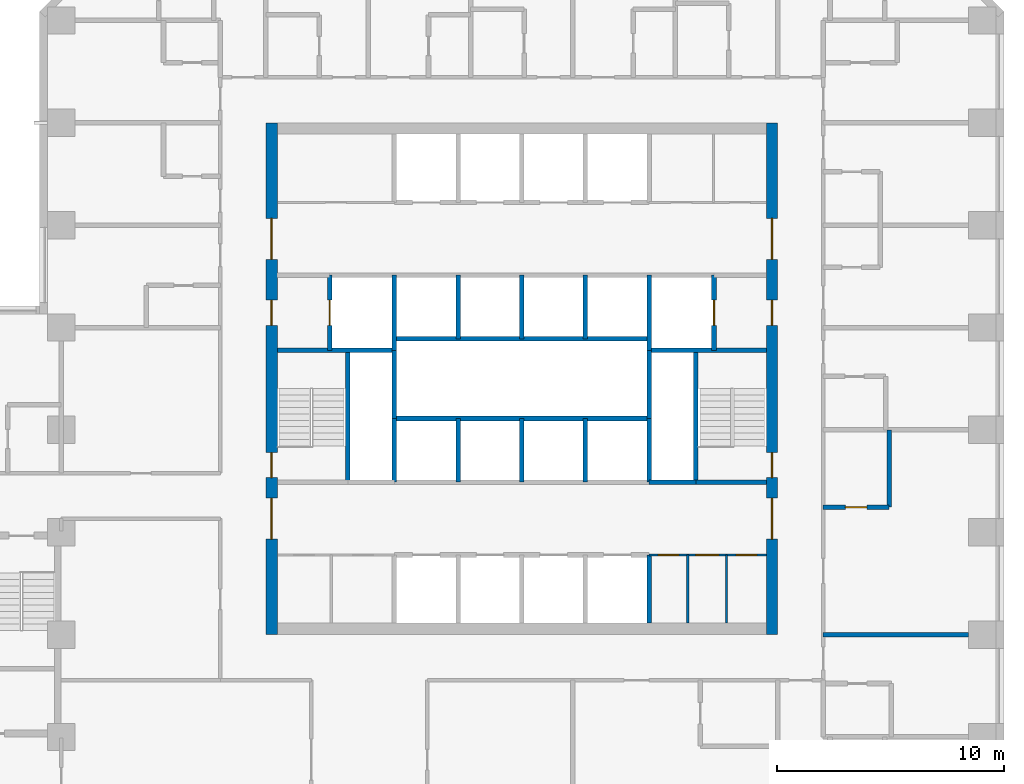
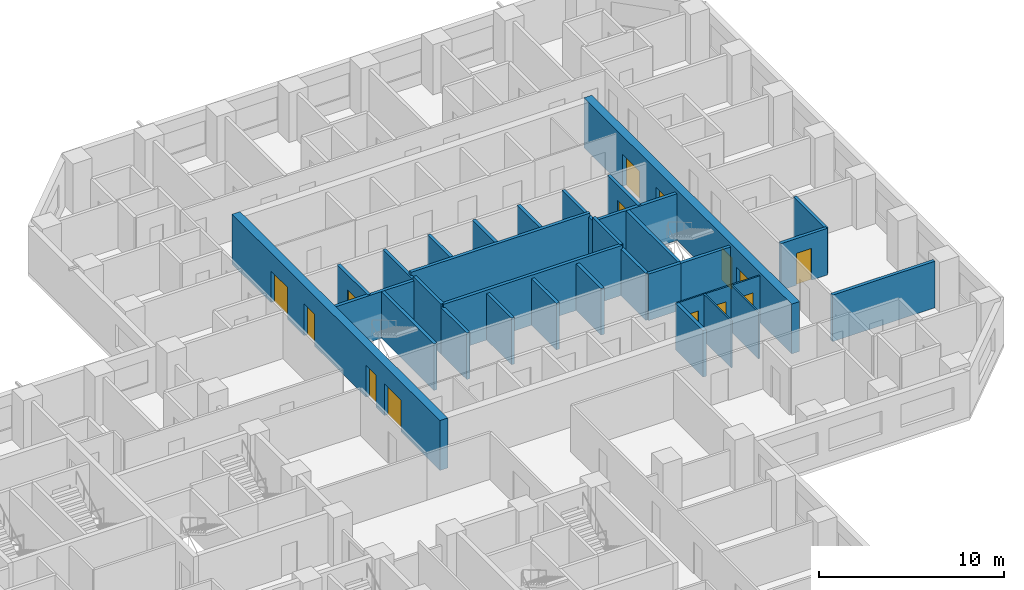
# One storey, part 8 of 13: 31 walls, 14 doors, 14 openings.
"""IFC4 building model written with IfcOpenShell, lengths in metres."""

from ifc_helpers import new_model, si_unit, direction, frame, frame_2d, origin, place, context, subcontext, project, spatial, rectangle, extrude, material, layer, layer_set, type_object, element, fill, save


model = new_model("IFC4")

# Units and contexts
model_context = context("Model", 3, precision=1e-05, world=origin(), true_north=direction((0.0, 1.0)))
body_context = subcontext(model_context, "Body", "Model", "MODEL_VIEW")
ifc_project = project(units=[si_unit("LENGTHUNIT", "METRE"), si_unit("AREAUNIT", "SQUARE_METRE"), si_unit("VOLUMEUNIT", "CUBIC_METRE"), si_unit("PLANEANGLEUNIT", "RADIAN"), si_unit("MASSUNIT", "GRAM", prefix="KILO")], contexts=[model_context])

# Site, building, storey
site_placement = place(None, origin())
site = spatial("IfcSite", under=ifc_project, at=site_placement, CompositionType="ELEMENT")
building_placement = place(site_placement, origin())
building = spatial("IfcBuilding", under=site, at=building_placement, Name="Quoin Convention Tower", CompositionType="ELEMENT")
storey_placement = place(building_placement, frame((0.0, 0.0, 23.10009765625)))
storey = spatial("IfcBuildingStorey", under=building, at=storey_placement, Name="L04", CompositionType="ELEMENT", Elevation=23.10009765625)

# Wall, openings, doors
ifc_material_1 = material(Name="Plasterboard")
ifc_layer_1 = layer(ifc_material_1, 0.012451171875, Name="Finish")
ifc_material_2 = material(Name="Steel stud framing", Category="steel")
ifc_layer_2 = layer(ifc_material_2, 0.074951171875, Name="Structure")
ifc_layer_3 = layer(ifc_material_1, 0.012451171875, Name="Finish")
ifc_layer_set_1 = layer_set([ifc_layer_1, ifc_layer_2, ifc_layer_3], Name="Steel stud framing")
wall_type_1 = type_object("IfcWallType", Name="Core partition wall", PredefinedType="PARTITIONING", material=ifc_layer_set_1)
wall_1_placement = place(storey_placement, frame((61.85009765625, 53.0, 0.0), z_axis=(0.0, 0.0, 1.0), x_axis=(1.0, 0.0, 0.0)))
wall_1 = element("IfcWall", 1, at=wall_1_placement, inside=storey, type_object=wall_type_1, Name="cr-C1-L04-h3500_16850", PredefinedType="PARTITIONING", context=body_context, shape_type="SweptSolid", body=[
    extrude(rectangle(XDim=5.14990234375, YDim=0.10009765625, at=frame_2d((2.574951171875, 0.0))), origin(), (0.0, 0.0, 1.0), 3.079833984375),
])
opening_1_placement = place(wall_1_placement, frame((3.824462890625, 0.0, 0.0)))
opening_1 = element("IfcOpeningElement", 2, at=opening_1_placement, cuts=wall_1, Name="Opening DCV2-20", PredefinedType="OPENING", context=body_context, shape_type="SweptSolid", body=[
    extrude(rectangle(XDim=0.89990234375, YDim=2.10009765625, at=frame_2d((0.449951171875, 1.050048828125))), frame((0.0, 0.06005859375, 0.0), z_axis=(0.0, -1.0, 0.0), x_axis=(1.0, 0.0, 0.0)), (0.0, 0.0, 1.0), 0.1201171875),
])
opening_2_placement = place(wall_1_placement, frame((2.04931640625, 0.0, 0.0)))
opening_2 = element("IfcOpeningElement", 3, at=opening_2_placement, cuts=wall_1, Name="Opening DCV2-18", PredefinedType="OPENING", context=body_context, shape_type="SweptSolid", body=[
    extrude(rectangle(XDim=1.0, YDim=2.10009765625, at=frame_2d((0.5, 1.050048828125))), frame((0.0, 0.06005859375, 0.0), z_axis=(0.0, -1.0, 0.0), x_axis=(1.0, 0.0, 0.0)), (0.0, 0.0, 1.0), 0.1201171875),
])
opening_3_placement = place(wall_1_placement, frame((0.39990234375, 0.0, 0.0)))
opening_3 = element("IfcOpeningElement", 4, at=opening_3_placement, cuts=wall_1, Name="Opening DCV2-16", PredefinedType="OPENING", context=body_context, shape_type="SweptSolid", body=[
    extrude(rectangle(XDim=0.89990234375, YDim=2.10009765625, at=frame_2d((0.449951171875, 1.050048828125))), frame((0.0, 0.06005859375, 0.0), z_axis=(0.0, -1.0, 0.0), x_axis=(1.0, 0.0, 0.0)), (0.0, 0.0, 1.0), 0.1201171875),
])
ifc_material_3 = material(Name="Steel door leaf", Category="steel")
door_type_1 = type_object("IfcDoorType", Name="Core room door 1000 x 2100", OperationType="SINGLE_SWING_LEFT", PredefinedType="DOOR", material=ifc_material_3)
door_1_placement = place(opening_2_placement, frame((1.0, 0.0, 0.0), z_axis=(0.0, 0.0, 1.0), x_axis=(-1.0, 0.0, 0.0)))
door_1 = element("IfcDoor", 5, at=door_1_placement, inside=storey, type_object=door_type_1, Name="cd-C1-L04-CSE1-lobA-CD0411", OperationType="SINGLE_SWING_LEFT", OverallHeight=2.10009765625, OverallWidth=1.0, PredefinedType="DOOR", context=body_context, shape_type="SweptSolid", body=[
    extrude(rectangle(XDim=1.0, YDim=2.10009765625, at=frame_2d((0.5, 1.050048828125))), frame((0.0, 0.02490234375, 0.0), z_axis=(0.0, -1.0, 0.0), x_axis=(1.0, 0.0, 0.0)), (0.0, 0.0, 1.0), 0.050048828125),
])
fill(opening_2, door_1)
door_type_2 = type_object("IfcDoorType", Name="Core room door 900 x 2100", OperationType="SINGLE_SWING_LEFT", PredefinedType="DOOR", material=ifc_material_3)
door_2_placement = place(opening_1_placement, frame((0.89990234375, 0.0, 0.0), z_axis=(0.0, 0.0, 1.0), x_axis=(-1.0, 0.0, 0.0)))
door_2 = element("IfcDoor", 6, at=door_2_placement, inside=storey, type_object=door_type_2, Name="cd-C1-L04-CSE0-lobA-CD0410", OperationType="SINGLE_SWING_LEFT", OverallHeight=2.10009765625, OverallWidth=0.89990234375, PredefinedType="DOOR", context=body_context, shape_type="SweptSolid", body=[
    extrude(rectangle(XDim=0.89990234375, YDim=2.10009765625, at=frame_2d((0.449951171875, 1.050048828125))), frame((0.0, 0.02490234375, 0.0), z_axis=(0.0, -1.0, 0.0), x_axis=(1.0, 0.0, 0.0)), (0.0, 0.0, 1.0), 0.050048828125),
])
fill(opening_1, door_2)
door_3_placement = place(opening_3_placement, frame((0.89990234375, 0.0, 0.0), z_axis=(0.0, 0.0, 1.0), x_axis=(-1.0, 0.0, 0.0)))
door_3 = element("IfcDoor", 7, at=door_3_placement, inside=storey, type_object=door_type_2, Name="cd-C1-L04-CSE2-lobA-CD0412", OperationType="SINGLE_SWING_LEFT", OverallHeight=2.10009765625, OverallWidth=0.89990234375, PredefinedType="DOOR", context=body_context, shape_type="SweptSolid", body=[
    extrude(rectangle(XDim=0.89990234375, YDim=2.10009765625, at=frame_2d((0.449951171875, 1.050048828125))), frame((0.0, 0.02490234375, 0.0), z_axis=(0.0, -1.0, 0.0), x_axis=(1.0, 0.0, 0.0)), (0.0, 0.0, 1.0), 0.050048828125),
])
fill(opening_3, door_3)

# Walls
for number, where, z_axis, x_axis, name in (
    (8, (63.549560546875, 50.0, 0.0), (0.0, 0.0, 1.0), (0.0, 1.0, 0.0), "cr-C1-L04-v18550_500"),
    (9, (65.2490234375, 50.0, 0.0), (0.0, 0.0, 1.0), (0.0, 1.0, 0.0), "cr-C1-L04-v20249_500"),
):
    element("IfcWall", number, at=place(storey_placement, frame(where, z_axis=z_axis, x_axis=x_axis)), inside=storey, type_object=wall_type_1, Name=name, PredefinedType="PARTITIONING", context=body_context, shape_type="SweptSolid", body=[
        extrude(rectangle(XDim=3.0, YDim=0.10009765625, at=frame_2d((1.5, 0.0))), origin(), (0.0, 0.0, 1.0), 3.079833984375),
    ])
ifc_material_4 = material(Name="Concrete C50", Category="concrete")
ifc_layer_4 = layer(ifc_material_4, 0.199951171875)
ifc_layer_set_2 = layer_set([ifc_layer_4], Name="Concrete C50")
wall_type_2 = type_object("IfcWallType", Name="Core shaft wall", PredefinedType="SOLIDWALL", material=ifc_layer_set_2)
wall_2_placement = place(storey_placement, frame((61.85009765625, 56.199951171875, 0.0), z_axis=(0.0, 0.0, 1.0), x_axis=(1.0, 0.0, 0.0)))
element("IfcWall", 10, at=wall_2_placement, inside=storey, type_object=wall_type_2, Name="cr-C1-L04-h6700_16850", PredefinedType="SOLIDWALL", context=body_context, shape_type="SweptSolid", body=[
    extrude(rectangle(XDim=2.0498046875, YDim=0.199951171875, at=frame_2d((1.02490234375, 0.0))), origin(), (0.0, 0.0, 1.0), 3.079833984375),
])
wall_3_placement = place(storey_placement, frame((63.89990234375, 56.199951171875, 0.0), z_axis=(0.0, 0.0, 1.0), x_axis=(1.0, 0.0, 0.0)))
element("IfcWall", 11, at=wall_3_placement, inside=storey, type_object=wall_type_2, Name="cr-C1-L04-h6700_18900", PredefinedType="SOLIDWALL", context=body_context, shape_type="SweptSolid", body=[
    extrude(rectangle(XDim=3.10009765625, YDim=0.199951171875, at=frame_2d((1.550048828125, 0.0))), origin(), (0.0, 0.0, 1.0), 3.079833984375),
])
for number, where, z_axis, x_axis, name in (
    (12, (45.5, 62.0, 0.0), (0.0, 0.0, 1.0), (1.0, 0.0, 0.0), "cr-C1-L04-h12500_500"),
    (13, (61.85009765625, 62.0, 0.0), (0.0, 0.0, 1.0), (1.0, 0.0, 0.0), "cr-C1-L04-h12500_16850"),
):
    element("IfcWall", number, at=place(storey_placement, frame(where, z_axis=z_axis, x_axis=x_axis)), inside=storey, type_object=wall_type_2, Name=name, PredefinedType="SOLIDWALL", context=body_context, shape_type="SweptSolid", body=[
        extrude(rectangle(XDim=5.14990234375, YDim=0.199951171875, at=frame_2d((2.574951171875, 0.0))), origin(), (0.0, 0.0, 1.0), 3.079833984375),
    ])

# Wall, opening, door
wall_4_placement = place(storey_placement, frame((47.800048828125, 62.0, 0.0), z_axis=(0.0, 0.0, 1.0), x_axis=(0.0, 1.0, 0.0)))
wall_4 = element("IfcWall", 14, at=wall_4_placement, inside=storey, type_object=wall_type_2, Name="cr-C1-L04-v2800_12500", PredefinedType="SOLIDWALL", context=body_context, shape_type="SweptSolid", body=[
    extrude(rectangle(XDim=3.300048828125, YDim=0.199951171875, at=frame_2d((1.64990234375, 0.0))), origin(), (0.0, 0.0, 1.0), 3.079833984375),
])
opening_4_placement = place(wall_4_placement, frame((1.10009765625, 0.0, 0.0)))
opening_4 = element("IfcOpeningElement", 15, at=opening_4_placement, cuts=wall_4, Name="Opening LDFL1", PredefinedType="OPENING", context=body_context, shape_type="SweptSolid", body=[
    extrude(rectangle(XDim=1.10009765625, YDim=2.10009765625, at=frame_2d((0.550048828125, 1.050048828125))), frame((0.0, 0.10986328125, 0.0), z_axis=(0.0, -1.0, 0.0), x_axis=(1.0, 0.0, 0.0)), (0.0, 0.0, 1.0), 0.219970703125),
])
door_type_3 = type_object("IfcDoorType", Name="Lift landing door 1100 x 2100", OperationType="DOUBLE_DOOR_SLIDING", PredefinedType="DOOR", material=ifc_material_3)
door_4_placement = place(opening_4_placement, origin())
door_4 = element("IfcDoor", 16, at=door_4_placement, inside=storey, type_object=door_type_3, Name="cd-C1-L04-FLW-FFW-LDFL1", OperationType="DOUBLE_DOOR_SLIDING", OverallHeight=2.10009765625, OverallWidth=1.10009765625, PredefinedType="DOOR", context=body_context, shape_type="SweptSolid", body=[
    extrude(rectangle(XDim=1.10009765625, YDim=2.10009765625, at=frame_2d((0.550048828125, 1.050048828125))), frame((0.0, 0.02490234375, 0.0), z_axis=(0.0, -1.0, 0.0), x_axis=(1.0, 0.0, 0.0)), (0.0, 0.0, 1.0), 0.050048828125),
])
fill(opening_4, door_4)

# Walls
wall_5_placement = place(storey_placement, frame((48.60009765625, 56.199951171875, 0.0), z_axis=(0.0, 0.0, 1.0), x_axis=(0.0, 1.0, 0.0)))
element("IfcWall", 17, at=wall_5_placement, inside=storey, type_object=wall_type_2, Name="cr-C1-L04-v3600_6700", PredefinedType="SOLIDWALL", context=body_context, shape_type="SweptSolid", body=[
    extrude(rectangle(XDim=5.800048828125, YDim=0.199951171875, at=frame_2d((2.89990234375, 0.0))), origin(), (0.0, 0.0, 1.0), 3.079833984375),
])
wall_6_placement = place(storey_placement, frame((50.64990234375, 56.199951171875, 0.0), z_axis=(0.0, 0.0, 1.0), x_axis=(0.0, 1.0, 0.0)))
element("IfcWall", 18, at=wall_6_placement, inside=storey, type_object=wall_type_2, Name="cr-C1-L04-v5650_6700", PredefinedType="SOLIDWALL", context=body_context, shape_type="SweptSolid", body=[
    extrude(rectangle(XDim=2.800048828125, YDim=0.199951171875, at=frame_2d((1.39990234375, 0.0))), origin(), (0.0, 0.0, 1.0), 3.079833984375),
])
wall_7_placement = place(storey_placement, frame((50.64990234375, 62.0, 0.0), z_axis=(0.0, 0.0, 1.0), x_axis=(0.0, 1.0, 0.0)))
element("IfcWall", 19, at=wall_7_placement, inside=storey, type_object=wall_type_2, Name="cr-C1-L04-v5650_12500", PredefinedType="SOLIDWALL", context=body_context, shape_type="SweptSolid", body=[
    extrude(rectangle(XDim=3.300048828125, YDim=0.199951171875, at=frame_2d((1.64990234375, 0.0))), origin(), (0.0, 0.0, 1.0), 3.079833984375),
])
for number, where, z_axis, x_axis, name in (
    (20, (53.449951171875, 56.199951171875, 0.0), (0.0, 0.0, 1.0), (0.0, 1.0, 0.0), "cr-C1-L04-v8450_6700"),
    (21, (53.449951171875, 62.5, 0.0), (0.0, 0.0, 1.0), (0.0, 1.0, 0.0), "cr-C1-L04-v8450_13000"),
    (22, (56.25, 56.199951171875, 0.0), (0.0, 0.0, 1.0), (0.0, 1.0, 0.0), "cr-C1-L04-v11250_6700"),
    (23, (56.25, 62.5, 0.0), (0.0, 0.0, 1.0), (0.0, 1.0, 0.0), "cr-C1-L04-v11250_13000"),
    (24, (59.050048828125, 56.199951171875, 0.0), (0.0, 0.0, 1.0), (0.0, 1.0, 0.0), "cr-C1-L04-v14050_6700"),
    (25, (59.050048828125, 62.5, 0.0), (0.0, 0.0, 1.0), (0.0, 1.0, 0.0), "cr-C1-L04-v14050_13000"),
):
    element("IfcWall", number, at=place(storey_placement, frame(where, z_axis=z_axis, x_axis=x_axis)), inside=storey, type_object=wall_type_2, Name=name, PredefinedType="SOLIDWALL", context=body_context, shape_type="SweptSolid", body=[
        extrude(rectangle(XDim=2.800048828125, YDim=0.199951171875, at=frame_2d((1.39990234375, 0.0))), origin(), (0.0, 0.0, 1.0), 3.079833984375),
    ])
wall_8_placement = place(storey_placement, frame((61.85009765625, 50.0, 0.0), z_axis=(0.0, 0.0, 1.0), x_axis=(0.0, 1.0, 0.0)))
element("IfcWall", 26, at=wall_8_placement, inside=storey, type_object=wall_type_2, Name="cr-C1-L04-v16850_500", PredefinedType="SOLIDWALL", context=body_context, shape_type="SweptSolid", body=[
    extrude(rectangle(XDim=3.0, YDim=0.199951171875, at=frame_2d((1.5, 0.0))), origin(), (0.0, 0.0, 1.0), 3.079833984375),
])
wall_9_placement = place(storey_placement, frame((61.85009765625, 56.199951171875, 0.0), z_axis=(0.0, 0.0, 1.0), x_axis=(0.0, 1.0, 0.0)))
element("IfcWall", 27, at=wall_9_placement, inside=storey, type_object=wall_type_2, Name="cr-C1-L04-v16850_6700", PredefinedType="SOLIDWALL", context=body_context, shape_type="SweptSolid", body=[
    extrude(rectangle(XDim=2.800048828125, YDim=0.199951171875, at=frame_2d((1.39990234375, 0.0))), origin(), (0.0, 0.0, 1.0), 3.079833984375),
])
wall_10_placement = place(storey_placement, frame((61.85009765625, 62.0, 0.0), z_axis=(0.0, 0.0, 1.0), x_axis=(0.0, 1.0, 0.0)))
element("IfcWall", 28, at=wall_10_placement, inside=storey, type_object=wall_type_2, Name="cr-C1-L04-v16850_12500", PredefinedType="SOLIDWALL", context=body_context, shape_type="SweptSolid", body=[
    extrude(rectangle(XDim=3.300048828125, YDim=0.199951171875, at=frame_2d((1.64990234375, 0.0))), origin(), (0.0, 0.0, 1.0), 3.079833984375),
])
wall_11_placement = place(storey_placement, frame((63.89990234375, 56.199951171875, 0.0), z_axis=(0.0, 0.0, 1.0), x_axis=(0.0, 1.0, 0.0)))
element("IfcWall", 29, at=wall_11_placement, inside=storey, type_object=wall_type_2, Name="cr-C1-L04-v18900_6700", PredefinedType="SOLIDWALL", context=body_context, shape_type="SweptSolid", body=[
    extrude(rectangle(XDim=5.800048828125, YDim=0.199951171875, at=frame_2d((2.89990234375, 0.0))), origin(), (0.0, 0.0, 1.0), 3.079833984375),
])

# Wall, opening, door
wall_12_placement = place(storey_placement, frame((64.699951171875, 62.0, 0.0), z_axis=(0.0, 0.0, 1.0), x_axis=(0.0, 1.0, 0.0)))
wall_12 = element("IfcWall", 30, at=wall_12_placement, inside=storey, type_object=wall_type_2, Name="cr-C1-L04-v19700_12500", PredefinedType="SOLIDWALL", context=body_context, shape_type="SweptSolid", body=[
    extrude(rectangle(XDim=3.300048828125, YDim=0.199951171875, at=frame_2d((1.64990234375, 0.0))), origin(), (0.0, 0.0, 1.0), 3.079833984375),
])
opening_5_placement = place(wall_12_placement, frame((1.10009765625, 0.0, 0.0)))
opening_5 = element("IfcOpeningElement", 31, at=opening_5_placement, cuts=wall_12, Name="Opening LDFL2", PredefinedType="OPENING", context=body_context, shape_type="SweptSolid", body=[
    extrude(rectangle(XDim=1.10009765625, YDim=2.10009765625, at=frame_2d((0.550048828125, 1.050048828125))), frame((0.0, 0.10986328125, 0.0), z_axis=(0.0, -1.0, 0.0), x_axis=(1.0, 0.0, 0.0)), (0.0, 0.0, 1.0), 0.219970703125),
])
door_5_placement = place(opening_5_placement, origin())
door_5 = element("IfcDoor", 32, at=door_5_placement, inside=storey, type_object=door_type_3, Name="cd-C1-L04-FLE-FFE-LDFL2", OperationType="DOUBLE_DOOR_SLIDING", OverallHeight=2.10009765625, OverallWidth=1.10009765625, PredefinedType="DOOR", context=body_context, shape_type="SweptSolid", body=[
    extrude(rectangle(XDim=1.10009765625, YDim=2.10009765625, at=frame_2d((0.550048828125, 1.050048828125))), frame((0.0, 0.02490234375, 0.0), z_axis=(0.0, -1.0, 0.0), x_axis=(1.0, 0.0, 0.0)), (0.0, 0.0, 1.0), 0.050048828125),
])
fill(opening_5, door_5)

# Walls
ifc_layer_5 = layer(ifc_material_4, 0.199951171875)
ifc_layer_set_3 = layer_set([ifc_layer_5], Name="Concrete C50")
wall_type_3 = type_object("IfcWallType", Name="Core shaft wall to the floor level over", PredefinedType="SOLIDWALL", material=ifc_layer_set_3)
for number, where, z_axis, x_axis, name in (
    (33, (50.64990234375, 59.0, 0.0), (0.0, 0.0, 1.0), (1.0, 0.0, 0.0), "cr-C1-L04-h9500_5650"),
    (34, (50.64990234375, 62.5, 0.0), (0.0, 0.0, 1.0), (1.0, 0.0, 0.0), "cr-C1-L04-h13000_5650"),
):
    element("IfcWall", number, at=place(storey_placement, frame(where, z_axis=z_axis, x_axis=x_axis)), inside=storey, type_object=wall_type_3, Name=name, PredefinedType="SOLIDWALL", context=body_context, shape_type="SweptSolid", body=[
        extrude(rectangle(XDim=11.2001953125, YDim=0.199951171875, at=frame_2d((5.60009765625, 0.0))), origin(), (0.0, 0.0, 1.0), 3.2998046875),
    ])
for number, where, z_axis, x_axis, name in (
    (35, (50.64990234375, 59.0, 0.0), (0.0, 0.0, 1.0), (0.0, 1.0, 0.0), "cr-C1-L04-v5650_9500"),
    (36, (61.85009765625, 59.0, 0.0), (0.0, 0.0, 1.0), (0.0, 1.0, 0.0), "cr-C1-L04-v16850_9500"),
):
    element("IfcWall", number, at=place(storey_placement, frame(where, z_axis=z_axis, x_axis=x_axis)), inside=storey, type_object=wall_type_3, Name=name, PredefinedType="SOLIDWALL", context=body_context, shape_type="SweptSolid", body=[
        extrude(rectangle(XDim=3.0, YDim=0.199951171875, at=frame_2d((1.5, 0.0))), origin(), (0.0, 0.0, 1.0), 3.2998046875),
    ])

# Wall, openings, doors
ifc_material_5 = material(Name="Concrete C80", Category="concrete")
ifc_layer_6 = layer(ifc_material_5, 0.5)
ifc_layer_set_4 = layer_set([ifc_layer_6], Name="Concrete C80")
wall_type_4 = type_object("IfcWallType", Name="RC CORE WALL 500 C80", PredefinedType="SHEAR", material=ifc_layer_set_4)
wall_13_placement = place(storey_placement, frame((45.25, 49.5, 0.0), z_axis=(0.0, 0.0, 1.0), x_axis=(0.0, 1.0, 0.0)))
wall_13 = element("IfcWall", 37, at=wall_13_placement, inside=storey, type_object=wall_type_4, Name="cwl-C1-L04-W", PredefinedType="SHEAR", context=body_context, shape_type="SweptSolid", body=[
    extrude(rectangle(XDim=22.5, YDim=0.5, at=frame_2d((11.25, 0.0))), origin(), (0.0, 0.0, 1.0), 3.2998046875),
])
opening_6_placement = place(wall_13_placement, frame((4.199951171875, 0.0, 0.0)))
opening_6 = element("IfcOpeningElement", 38, at=opening_6_placement, cuts=wall_13, Name="Opening DCV2-40", PredefinedType="OPENING", context=body_context, shape_type="SweptSolid", body=[
    extrude(rectangle(XDim=1.800048828125, YDim=2.10009765625, at=frame_2d((0.89990234375, 1.050048828125))), frame((0.0, 0.260009765625, 0.0), z_axis=(0.0, -1.0, 0.0), x_axis=(1.0, 0.0, 0.0)), (0.0, 0.0, 1.0), 0.52001953125),
])
opening_7_placement = place(wall_13_placement, frame((6.89990234375, 0.0, 0.0)))
opening_7 = element("IfcOpeningElement", 39, at=opening_7_placement, cuts=wall_13, Name="Opening SD1", PredefinedType="OPENING", context=body_context, shape_type="SweptSolid", body=[
    extrude(rectangle(XDim=1.10009765625, YDim=2.10009765625, at=frame_2d((0.550048828125, 1.050048828125))), frame((0.0, 0.260009765625, 0.0), z_axis=(0.0, -1.0, 0.0), x_axis=(1.0, 0.0, 0.0)), (0.0, 0.0, 1.0), 0.52001953125),
])
opening_8_placement = place(wall_13_placement, frame((13.60009765625, 0.0, 0.0)))
opening_8 = element("IfcOpeningElement", 40, at=opening_8_placement, cuts=wall_13, Name="Opening DCV2-39", PredefinedType="OPENING", context=body_context, shape_type="SweptSolid", body=[
    extrude(rectangle(XDim=1.10009765625, YDim=2.10009765625, at=frame_2d((0.550048828125, 1.050048828125))), frame((0.0, 0.260009765625, 0.0), z_axis=(0.0, -1.0, 0.0), x_axis=(1.0, 0.0, 0.0)), (0.0, 0.0, 1.0), 0.52001953125),
])
opening_9_placement = place(wall_13_placement, frame((16.5, 0.0, 0.0)))
opening_9 = element("IfcOpeningElement", 41, at=opening_9_placement, cuts=wall_13, Name="Opening DCV2-40", PredefinedType="OPENING", context=body_context, shape_type="SweptSolid", body=[
    extrude(rectangle(XDim=1.800048828125, YDim=2.10009765625, at=frame_2d((0.89990234375, 1.050048828125))), frame((0.0, 0.260009765625, 0.0), z_axis=(0.0, -1.0, 0.0), x_axis=(1.0, 0.0, 0.0)), (0.0, 0.0, 1.0), 0.52001953125),
])
door_type_4 = type_object("IfcDoorType", Name="Fire-fighting lobby door 1100 x 2100", OperationType="SINGLE_SWING_LEFT", PredefinedType="DOOR", material=ifc_material_3)
door_6_placement = place(opening_8_placement, frame((1.10009765625, 0.0, 0.0), z_axis=(0.0, 0.0, 1.0), x_axis=(-1.0, 0.0, 0.0)))
door_6 = element("IfcDoor", 42, at=door_6_placement, inside=storey, type_object=door_type_4, Name="cd-C1-L04-FFW-W", OperationType="SINGLE_SWING_LEFT", OverallHeight=2.10009765625, OverallWidth=1.10009765625, PredefinedType="DOOR", context=body_context, shape_type="SweptSolid", body=[
    extrude(rectangle(XDim=1.10009765625, YDim=2.10009765625, at=frame_2d((0.550048828125, 1.050048828125))), frame((0.0, 0.02490234375, 0.0), z_axis=(0.0, -1.0, 0.0), x_axis=(1.0, 0.0, 0.0)), (0.0, 0.0, 1.0), 0.050048828125),
])
fill(opening_8, door_6)
door_type_5 = type_object("IfcDoorType", Name="Lift lobby door 1800 x 2100", OperationType="SINGLE_SWING_LEFT", PredefinedType="DOOR", material=ifc_material_3)
door_7_placement = place(opening_6_placement, frame((1.800048828125, 0.0, 0.0), z_axis=(0.0, 0.0, 1.0), x_axis=(-1.0, 0.0, 0.0)))
door_7 = element("IfcDoor", 43, at=door_7_placement, inside=storey, type_object=door_type_5, Name="cd-C1-L04-lobA-W", OperationType="SINGLE_SWING_LEFT", OverallHeight=2.10009765625, OverallWidth=1.800048828125, PredefinedType="DOOR", context=body_context, shape_type="SweptSolid", body=[
    extrude(rectangle(XDim=1.800048828125, YDim=2.10009765625, at=frame_2d((0.89990234375, 1.050048828125))), frame((0.0, 0.02490234375, 0.0), z_axis=(0.0, -1.0, 0.0), x_axis=(1.0, 0.0, 0.0)), (0.0, 0.0, 1.0), 0.050048828125),
])
fill(opening_6, door_7)
door_8_placement = place(opening_9_placement, frame((1.800048828125, 0.0, 0.0), z_axis=(0.0, 0.0, 1.0), x_axis=(-1.0, 0.0, 0.0)))
door_8 = element("IfcDoor", 44, at=door_8_placement, inside=storey, type_object=door_type_5, Name="cd-C1-L04-lobB-W", OperationType="SINGLE_SWING_LEFT", OverallHeight=2.10009765625, OverallWidth=1.800048828125, PredefinedType="DOOR", context=body_context, shape_type="SweptSolid", body=[
    extrude(rectangle(XDim=1.800048828125, YDim=2.10009765625, at=frame_2d((0.89990234375, 1.050048828125))), frame((0.0, 0.02490234375, 0.0), z_axis=(0.0, -1.0, 0.0), x_axis=(1.0, 0.0, 0.0)), (0.0, 0.0, 1.0), 0.050048828125),
])
fill(opening_9, door_8)
door_type_6 = type_object("IfcDoorType", Name="Stair door 1100 x 2100", OperationType="SINGLE_SWING_RIGHT", PredefinedType="DOOR", material=ifc_material_3)
door_9_placement = place(opening_7_placement, frame((1.10009765625, 0.0, 0.0), z_axis=(0.0, 0.0, 1.0), x_axis=(-1.0, 0.0, 0.0)))
door_9 = element("IfcDoor", 45, at=door_9_placement, inside=storey, type_object=door_type_6, Name="cd-C1-L04-STW-W", OperationType="SINGLE_SWING_RIGHT", OverallHeight=2.10009765625, OverallWidth=1.10009765625, PredefinedType="DOOR", context=body_context, shape_type="SweptSolid", body=[
    extrude(rectangle(XDim=1.10009765625, YDim=2.10009765625, at=frame_2d((0.550048828125, 1.050048828125))), frame((0.0, 0.02490234375, 0.0), z_axis=(0.0, -1.0, 0.0), x_axis=(1.0, 0.0, 0.0)), (0.0, 0.0, 1.0), 0.050048828125),
])
fill(opening_7, door_9)

wall_14_placement = place(storey_placement, frame((67.25, 49.5, 0.0), z_axis=(0.0, 0.0, 1.0), x_axis=(0.0, 1.0, 0.0)))
wall_14 = element("IfcWall", 46, at=wall_14_placement, inside=storey, type_object=wall_type_4, Name="cwl-C1-L04-E", PredefinedType="SHEAR", context=body_context, shape_type="SweptSolid", body=[
    extrude(rectangle(XDim=22.5, YDim=0.5, at=frame_2d((11.25, 0.0))), origin(), (0.0, 0.0, 1.0), 3.2998046875),
])
opening_10_placement = place(wall_14_placement, frame((4.199951171875, 0.0, 0.0)))
opening_10 = element("IfcOpeningElement", 47, at=opening_10_placement, cuts=wall_14, Name="Opening DCV2-38", PredefinedType="OPENING", context=body_context, shape_type="SweptSolid", body=[
    extrude(rectangle(XDim=1.800048828125, YDim=2.10009765625, at=frame_2d((0.89990234375, 1.050048828125))), frame((0.0, 0.260009765625, 0.0), z_axis=(0.0, -1.0, 0.0), x_axis=(1.0, 0.0, 0.0)), (0.0, 0.0, 1.0), 0.52001953125),
])
opening_11_placement = place(wall_14_placement, frame((6.89990234375, 0.0, 0.0)))
opening_11 = element("IfcOpeningElement", 48, at=opening_11_placement, cuts=wall_14, Name="Opening SD2", PredefinedType="OPENING", context=body_context, shape_type="SweptSolid", body=[
    extrude(rectangle(XDim=1.10009765625, YDim=2.10009765625, at=frame_2d((0.550048828125, 1.050048828125))), frame((0.0, 0.260009765625, 0.0), z_axis=(0.0, -1.0, 0.0), x_axis=(1.0, 0.0, 0.0)), (0.0, 0.0, 1.0), 0.52001953125),
])
opening_12_placement = place(wall_14_placement, frame((13.60009765625, 0.0, 0.0)))
opening_12 = element("IfcOpeningElement", 49, at=opening_12_placement, cuts=wall_14, Name="Opening DCV2-37", PredefinedType="OPENING", context=body_context, shape_type="SweptSolid", body=[
    extrude(rectangle(XDim=1.10009765625, YDim=2.10009765625, at=frame_2d((0.550048828125, 1.050048828125))), frame((0.0, 0.260009765625, 0.0), z_axis=(0.0, -1.0, 0.0), x_axis=(1.0, 0.0, 0.0)), (0.0, 0.0, 1.0), 0.52001953125),
])
opening_13_placement = place(wall_14_placement, frame((16.5, 0.0, 0.0)))
opening_13 = element("IfcOpeningElement", 50, at=opening_13_placement, cuts=wall_14, Name="Opening DCV2-38", PredefinedType="OPENING", context=body_context, shape_type="SweptSolid", body=[
    extrude(rectangle(XDim=1.800048828125, YDim=2.10009765625, at=frame_2d((0.89990234375, 1.050048828125))), frame((0.0, 0.260009765625, 0.0), z_axis=(0.0, -1.0, 0.0), x_axis=(1.0, 0.0, 0.0)), (0.0, 0.0, 1.0), 0.52001953125),
])
door_10_placement = place(opening_12_placement, origin())
door_10 = element("IfcDoor", 51, at=door_10_placement, inside=storey, type_object=door_type_4, Name="cd-C1-L04-FFE-E", OperationType="SINGLE_SWING_RIGHT", OverallHeight=2.10009765625, OverallWidth=1.10009765625, PredefinedType="DOOR", context=body_context, shape_type="SweptSolid", body=[
    extrude(rectangle(XDim=1.10009765625, YDim=2.10009765625, at=frame_2d((0.550048828125, 1.050048828125))), frame((0.0, 0.02490234375, 0.0), z_axis=(0.0, -1.0, 0.0), x_axis=(1.0, 0.0, 0.0)), (0.0, 0.0, 1.0), 0.050048828125),
])
fill(opening_12, door_10)
door_11_placement = place(opening_10_placement, origin())
door_11 = element("IfcDoor", 52, at=door_11_placement, inside=storey, type_object=door_type_5, Name="cd-C1-L04-lobA-E", OperationType="SINGLE_SWING_RIGHT", OverallHeight=2.10009765625, OverallWidth=1.800048828125, PredefinedType="DOOR", context=body_context, shape_type="SweptSolid", body=[
    extrude(rectangle(XDim=1.800048828125, YDim=2.10009765625, at=frame_2d((0.89990234375, 1.050048828125))), frame((0.0, 0.02490234375, 0.0), z_axis=(0.0, -1.0, 0.0), x_axis=(1.0, 0.0, 0.0)), (0.0, 0.0, 1.0), 0.050048828125),
])
fill(opening_10, door_11)
door_12_placement = place(opening_13_placement, origin())
door_12 = element("IfcDoor", 53, at=door_12_placement, inside=storey, type_object=door_type_5, Name="cd-C1-L04-lobB-E", OperationType="SINGLE_SWING_RIGHT", OverallHeight=2.10009765625, OverallWidth=1.800048828125, PredefinedType="DOOR", context=body_context, shape_type="SweptSolid", body=[
    extrude(rectangle(XDim=1.800048828125, YDim=2.10009765625, at=frame_2d((0.89990234375, 1.050048828125))), frame((0.0, 0.02490234375, 0.0), z_axis=(0.0, -1.0, 0.0), x_axis=(1.0, 0.0, 0.0)), (0.0, 0.0, 1.0), 0.050048828125),
])
fill(opening_13, door_12)
door_13_placement = place(opening_11_placement, origin())
door_13 = element("IfcDoor", 54, at=door_13_placement, inside=storey, type_object=door_type_6, Name="cd-C1-L04-STE-E", OperationType="SINGLE_SWING_LEFT", OverallHeight=2.10009765625, OverallWidth=1.10009765625, PredefinedType="DOOR", context=body_context, shape_type="SweptSolid", body=[
    extrude(rectangle(XDim=1.10009765625, YDim=2.10009765625, at=frame_2d((0.550048828125, 1.050048828125))), frame((0.0, 0.02490234375, 0.0), z_axis=(0.0, -1.0, 0.0), x_axis=(1.0, 0.0, 0.0)), (0.0, 0.0, 1.0), 0.050048828125),
])
fill(opening_11, door_13)

# Wall
ifc_layer_7 = layer(ifc_material_4, 0.199951171875)
ifc_layer_set_5 = layer_set([ifc_layer_7], Name="Concrete C50")
wall_type_5 = type_object("IfcWallType", Name="RC party wall", PredefinedType="SOLIDWALL", material=ifc_layer_set_5)
wall_15_placement = place(storey_placement, frame((69.5, 49.5, 0.0), z_axis=(0.0, 0.0, 1.0), x_axis=(1.0, 0.0, 0.0)))
element("IfcWall", 55, at=wall_15_placement, inside=storey, type_object=wall_type_5, Name="pw-L04-074", PredefinedType="SOLIDWALL", context=body_context, shape_type="SweptSolid", body=[
    extrude(rectangle(XDim=6.39990234375, YDim=0.199951171875, at=frame_2d((3.199951171875, 0.0))), origin(), (0.0, 0.0, 1.0), 3.079833984375),
])

# Wall, opening, door
wall_16_placement = place(storey_placement, frame((69.5, 55.10009765625, 0.0), z_axis=(0.0, 0.0, 1.0), x_axis=(1.0, 0.0, 0.0)))
wall_16 = element("IfcWall", 56, at=wall_16_placement, inside=storey, type_object=wall_type_5, Name="pw-L04-077", PredefinedType="SOLIDWALL", context=body_context, shape_type="SweptSolid", body=[
    extrude(rectangle(XDim=2.89990234375, YDim=0.199951171875, at=frame_2d((1.449951171875, 0.0))), origin(), (0.0, 0.0, 1.0), 3.079833984375),
])
opening_14_placement = place(wall_16_placement, frame((0.97509765625, 0.0, 0.0)))
opening_14 = element("IfcOpeningElement", 57, at=opening_14_placement, cuts=wall_16, Name="Opening DHOTEL-M-58", PredefinedType="OPENING", context=body_context, shape_type="SweptSolid", body=[
    extrude(rectangle(XDim=0.949951171875, YDim=2.10009765625, at=frame_2d((0.47509765625, 1.050048828125))), frame((0.0, 0.10986328125, 0.0), z_axis=(0.0, -1.0, 0.0), x_axis=(1.0, 0.0, 0.0)), (0.0, 0.0, 1.0), 0.219970703125),
])
door_type_7 = type_object("IfcDoorType", Name="Accessible bathroom door", OperationType="SINGLE_SWING_LEFT", PredefinedType="DOOR", material=ifc_material_3)
door_14_placement = place(opening_14_placement, frame((0.949951171875, 0.0, 0.0), z_axis=(0.0, 0.0, 1.0), x_axis=(-1.0, 0.0, 0.0)))
door_14 = element("IfcDoor", 58, at=door_14_placement, inside=storey, type_object=door_type_7, Name="dr-L04-056", OperationType="SINGLE_SWING_RIGHT", OverallHeight=2.10009765625, OverallWidth=0.949951171875, PredefinedType="DOOR", context=body_context, shape_type="SweptSolid", body=[
    extrude(rectangle(XDim=0.949951171875, YDim=2.10009765625, at=frame_2d((0.47509765625, 1.050048828125))), frame((0.0, 0.02490234375, 0.0), z_axis=(0.0, -1.0, 0.0), x_axis=(1.0, 0.0, 0.0)), (0.0, 0.0, 1.0), 0.050048828125),
])
fill(opening_14, door_14)

# Wall
wall_17_placement = place(storey_placement, frame((72.39990234375, 55.10009765625, 0.0), z_axis=(0.0, 0.0, 1.0), x_axis=(0.0, 1.0, 0.0)))
element("IfcWall", 59, at=wall_17_placement, inside=storey, type_object=wall_type_5, Name="pw-L04-078", PredefinedType="SOLIDWALL", context=body_context, shape_type="SweptSolid", body=[
    extrude(rectangle(XDim=3.39990234375, YDim=0.199951171875, at=frame_2d((1.699951171875, 0.0))), origin(), (0.0, 0.0, 1.0), 3.079833984375),
])

save(model, "model.ifc")
